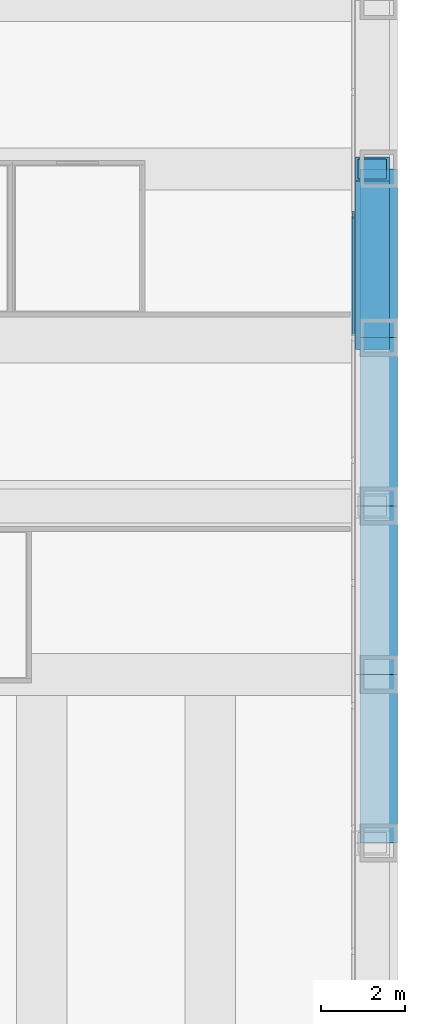
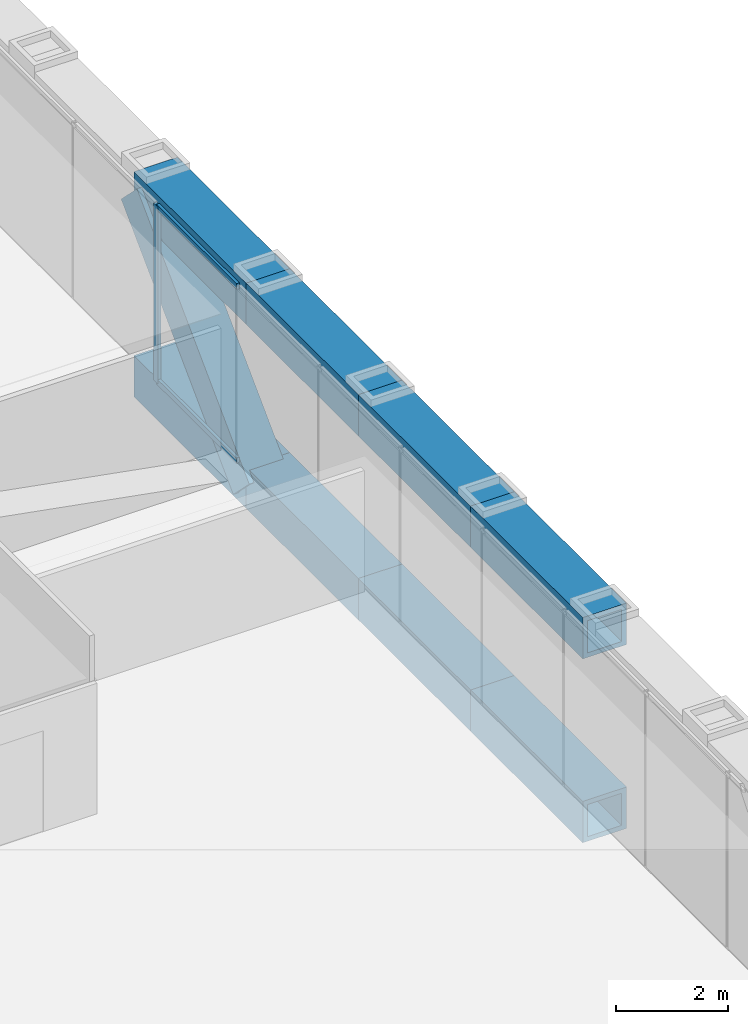
# One storey, part 6 of 18: 8 beams, 4 members, 1 element without a shape of its own.
"""IFC4 building model written with IfcOpenShell, lengths in metres."""

import ifcopenshell
import ifcopenshell.guid

model = None  # the IFC model being written
_history = None  # IfcOwnerHistory: only IFC2X3 demands one
_inside = {}  # id of a spatial element -> (the spatial element, [elements in it])
_under = {}  # id of a project, library or spatial element -> (it, [spatial elements below it])
_declared = {}  # id of a project -> (the project, [libraries it declares])
_typed = {}  # id of a type object -> (the type object, [elements of that type])
_made_of = {}  # id of a material, layer set ... -> (it, [elements and type objects made of it])


def new_model(schema):
    """Start an empty IFC model of exactly this schema.

    Asked for "IFC4X3", IfcOpenShell would pick the latest addendum, in which some entities
    have other attributes; the version numbers below select the first issue.
    IFC2X3 requires an IfcOwnerHistory on every rooted entity: one is made here for all.
    """
    global model, _history
    if schema == "IFC4X3":
        model = ifcopenshell.file(schema_version=(4, 3, 0, 0))
    else:
        model = ifcopenshell.file(schema=schema)
    _inside.clear()
    _under.clear()
    _declared.clear()
    _typed.clear()
    _made_of.clear()
    _history = None
    if model.schema == "IFC2X3":
        org = make("IfcOrganization", Name="unknown")
        user = make(
            "IfcPersonAndOrganization",
            ThePerson=make("IfcPerson", FamilyName="unknown"),
            TheOrganization=org,
        )
        app = make(
            "IfcApplication",
            ApplicationDeveloper=org,
            Version="unknown",
            ApplicationFullName="unknown",
            ApplicationIdentifier="unknown",
        )
        _history = make(
            "IfcOwnerHistory",
            OwningUser=user,
            OwningApplication=app,
            ChangeAction="ADDED",
            CreationDate=0,
        )
    return model


def make(cls, **values):
    """One entity of the class cls with the attributes given. An attribute that is None is left unset."""
    return model.create_entity(
        cls, **{name: value for name, value in values.items() if value is not None}
    )


def rooted(cls, **values):
    """An entity with a GlobalId (a new one), such as an element, a storey or a relation."""
    return make(cls, GlobalId=ifcopenshell.guid.new(), OwnerHistory=_history, **values)


def si_unit(unit_type, name, prefix=None):
    """IfcSIUnit, for example si_unit("LENGTHUNIT", "METRE", prefix="MILLI")."""
    return make("IfcSIUnit", UnitType=unit_type, Prefix=prefix, Name=name)


def assignment(units):
    """IfcUnitAssignment: the units of a project."""
    return None if units is None else make("IfcUnitAssignment", Units=units)


def point(xyz):
    """IfcCartesianPoint."""
    return None if xyz is None else make("IfcCartesianPoint", Coordinates=xyz)


def direction(xyz):
    """IfcDirection."""
    return None if xyz is None else make("IfcDirection", DirectionRatios=xyz)


def frame(location, z_axis=None, x_axis=None):
    """IfcAxis2Placement3D, a coordinate frame: its origin and axes. An axis left out is left unset."""
    return make(
        "IfcAxis2Placement3D",
        Location=point(location),
        Axis=direction(z_axis),
        RefDirection=direction(x_axis),
    )


def frame_2d(location, x_axis=None):
    """IfcAxis2Placement2D, a coordinate frame in the plane: its origin and x axis."""
    return make(
        "IfcAxis2Placement2D", Location=point(location), RefDirection=direction(x_axis)
    )


def origin():
    """The frame at (0, 0, 0) with its axes left unset."""
    return frame((0.0, 0.0, 0.0))


def origin_2d():
    """The frame at (0, 0) in the plane with its x axis left unset."""
    return frame_2d((0.0, 0.0))


def place(relative_to, where):
    """IfcLocalPlacement: puts the frame where relative to a parent placement (None: the world)."""
    return make(
        "IfcLocalPlacement", PlacementRelTo=relative_to, RelativePlacement=where
    )


def context(
    kind, dimensions, precision=None, world=None, true_north=None, identifier=None
):
    """IfcGeometricRepresentationContext, for example the 3D "Model" context."""
    return make(
        "IfcGeometricRepresentationContext",
        ContextIdentifier=identifier,
        ContextType=kind,
        CoordinateSpaceDimension=dimensions,
        Precision=precision,
        WorldCoordinateSystem=world,
        TrueNorth=true_north,
    )


def subcontext(parent, identifier, kind, view, scale=None):
    """IfcGeometricRepresentationSubContext, for example "Body" below "Model"."""
    return make(
        "IfcGeometricRepresentationSubContext",
        ContextIdentifier=identifier,
        ContextType=kind,
        ParentContext=parent,
        TargetScale=scale,
        TargetView=view,
    )


def project(units=None, contexts=None):
    """IfcProject with its units and contexts."""
    return rooted(
        "IfcProject",
        Name="project",
        RepresentationContexts=contexts,
        UnitsInContext=assignment(units),
    )


def spatial(cls, under=None, at=None, **own):
    """A site, building, storey or space (cls), placed at a placement, below another one or the project."""
    s = rooted(cls, ObjectPlacement=at, **own)
    if under is not None:
        _under.setdefault(under.id(), (under, []))[1].append(s)
    return s


def profile(cls, at=None, kind="AREA", **sizes):
    """A parametric profile (cls). Its sizes go by their IFC names, for example OverallWidth=200.0."""
    return make(cls, ProfileType=kind, Position=at, **sizes)


def rectangle(**sizes):
    """IfcRectangleProfileDef."""
    return profile("IfcRectangleProfileDef", **sizes)


def hollow_rectangle(**sizes):
    """IfcRectangleHollowProfileDef."""
    return profile("IfcRectangleHollowProfileDef", **sizes)


def extrude(swept, where, along, depth):
    """IfcExtrudedAreaSolid: the profile swept, set in the frame where, extruded along a direction by depth."""
    return make(
        "IfcExtrudedAreaSolid",
        SweptArea=swept,
        Position=where,
        ExtrudedDirection=direction(along),
        Depth=depth,
    )


def shape(context_of_items, identifier, shape_type, items):
    """IfcShapeRepresentation: the items that make up one representation, for example the "Body"."""
    return make(
        "IfcShapeRepresentation",
        ContextOfItems=context_of_items,
        RepresentationIdentifier=identifier,
        RepresentationType=shape_type,
        Items=items,
    )


def material(Name=None, Category=None):
    """IfcMaterial."""
    return make("IfcMaterial", Name=Name, Category=Category)


def material_profile(
    of_material, cross_section, Name=None, Category=None, Priority=None
):
    """IfcMaterialProfile: a cross section and its material."""
    return make(
        "IfcMaterialProfile",
        Name=Name,
        Material=of_material,
        Profile=cross_section,
        Priority=Priority,
        Category=Category,
    )


def profile_set(profiles, Name=None, composite=None):
    """IfcMaterialProfileSet."""
    return make(
        "IfcMaterialProfileSet",
        Name=Name,
        MaterialProfiles=profiles,
        CompositeProfile=composite,
    )


def made_of(thing, what):
    """Note that an element or type object is made of a material, layer set ...; save() writes the relation."""
    if what is not None:
        _made_of.setdefault(what.id(), (what, []))[1].append(thing)
    return thing


def type_object(cls, material=None, **own):
    """A type object (cls), such as IfcWallType, which elements share."""
    return made_of(rooted(cls, **own), material)


def element(
    cls,
    number,
    at=None,
    inside=None,
    cuts=None,
    type_object=None,
    material=None,
    context=None,
    identifier="Body",
    shape_type=None,
    held_by="IfcProductDefinitionShape",
    body=None,
    shapes=None,
    **own,
):
    """One element of the class cls, such as IfcWall. Its Tag is "e" and its number.

    at: its placement. inside: the storey or other place that contains it. cuts: it is an
    opening in that element (IfcRelVoidsElement). A single representation is given by context,
    identifier, shape_type and body (its items); several are given by shapes. held_by: the class
    of the entity that holds the representations. save() writes the other relations.
    """
    e = rooted(cls, Tag="e%d" % number, ObjectPlacement=at, **own)
    if body is not None:
        shapes = [shape(context, identifier, shape_type, body)]
    if shapes is not None:
        e.Representation = make(held_by, Representations=shapes)
    if inside is not None:
        _inside.setdefault(inside.id(), (inside, []))[1].append(e)
    if cuts is not None:
        rooted(
            "IfcRelVoidsElement", RelatingBuildingElement=cuts, RelatedOpeningElement=e
        )
    if type_object is not None:
        _typed.setdefault(type_object.id(), (type_object, []))[1].append(e)
    return made_of(e, material)


def aggregate(whole, parts):
    """IfcRelAggregates: a whole, such as a stair, and the parts it consists of."""
    return rooted("IfcRelAggregates", RelatingObject=whole, RelatedObjects=parts)


def save(model, path):
    """Write the relations noted so far, then the file.

    IfcRelAggregates (storeys below a building ...), IfcRelContainedInSpatialStructure (elements
    in a storey), IfcRelDefinesByType, IfcRelAssociatesMaterial and IfcRelDeclares: one each for
    every whole, place, type object, material and project.
    """
    for whole, parts in _under.values():
        aggregate(whole, parts)
    for where, things in _inside.values():
        rooted(
            "IfcRelContainedInSpatialStructure",
            RelatedElements=things,
            RelatingStructure=where,
        )
    for kind, things in _typed.values():
        rooted("IfcRelDefinesByType", RelatedObjects=things, RelatingType=kind)
    for what, things in _made_of.values():
        rooted("IfcRelAssociatesMaterial", RelatedObjects=things, RelatingMaterial=what)
    for by, libraries in _declared.values():
        rooted("IfcRelDeclares", RelatingContext=by, RelatedDefinitions=libraries)
    model.write(path)


model = new_model("IFC4")

# Units and contexts
model_context = context("Model", 3, precision=1e-05, world=origin(), true_north=direction((0.0, 1.0)))
body_context = subcontext(model_context, "Body", "Model", "MODEL_VIEW")
ifc_project = project(units=[si_unit("LENGTHUNIT", "METRE"), si_unit("AREAUNIT", "SQUARE_METRE"), si_unit("VOLUMEUNIT", "CUBIC_METRE"), si_unit("PLANEANGLEUNIT", "RADIAN"), si_unit("MASSUNIT", "GRAM", prefix="KILO")], contexts=[model_context])

# Site, building, storey
site_placement = place(None, origin())
site = spatial("IfcSite", under=ifc_project, at=site_placement, CompositionType="ELEMENT")
building_placement = place(site_placement, origin())
building = spatial("IfcBuilding", under=site, at=building_placement, Name="Rimbunsela Tower", CompositionType="ELEMENT")
storey_placement = place(building_placement, frame((0.0, 0.0, 105.39990234375)))
storey = spatial("IfcBuildingStorey", under=building, at=storey_placement, Name="L25", CompositionType="ELEMENT", Elevation=105.39990234375)

# Curtain wall, members
ifc_material_1 = material(Name="Aluminium curtain wall", Category="aluminium")
curtain_wall_type = type_object("IfcCurtainWallType", Name="Exoskeleton storey infill", PredefinedType="USERDEFINED", material=ifc_material_1)
curtain_wall_placement = place(storey_placement, origin())
curtain_wall = element("IfcCurtainWall", 1, at=curtain_wall_placement, inside=storey, type_object=curtain_wall_type, Name="Exoskeleton storey infill L25", ObjectType="EXOSKELETON STOREY INFILL", PredefinedType="USERDEFINED")
ifc_material_2 = material(Name="Aluminium mullion", Category="aluminium")
ifc_material_profile_1 = material_profile(ifc_material_2, rectangle(XDim=0.06005859375, YDim=0.159912109375, at=origin_2d()), Name="Mullion 60x160")
ifc_profile_set_1 = profile_set([ifc_material_profile_1], Name="Aluminium mullion")
member_type_1 = type_object("IfcMemberType", Name="Curtain wall mullion 60x160", PredefinedType="MULLION", material=ifc_profile_set_1)
member_1_placement = place(storey_placement, frame((57.39990234375, 30.914306640625, 0.0), z_axis=(0.0, 0.0, 1.0), x_axis=(-1.0, 0.0, 0.0)))
member_1 = element("IfcMember", 2, at=member_1_placement, type_object=member_type_1, Name="CW2 mullion 9", PredefinedType="MULLION", context=body_context, shape_type="SweptSolid", body=[
    extrude(rectangle(XDim=0.06005859375, YDim=0.159912109375, at=origin_2d()), origin(), (0.0, 0.0, 1.0), 3.85009765625),
])
ifc_material_3 = material(Name="Aluminium transom", Category="aluminium")
ifc_material_profile_2 = material_profile(ifc_material_3, rectangle(XDim=0.06005859375, YDim=0.1201171875, at=origin_2d()), Name="Transom 60x120")
ifc_profile_set_2 = profile_set([ifc_material_profile_2], Name="Aluminium transom")
member_type_2 = type_object("IfcMemberType", Name="Curtain wall transom 60x120", PredefinedType="USERDEFINED", material=ifc_profile_set_2)
member_2_placement = place(storey_placement, frame((57.39990234375, 28.030029296875, 0.030029296875), z_axis=(0.0, 1.0, 0.0), x_axis=(-1.0, 0.0, 0.0)))
member_2 = element("IfcMember", 3, at=member_2_placement, type_object=member_type_2, Name="CW2 transom 8.1", ObjectType="TRANSOM", PredefinedType="USERDEFINED", context=body_context, shape_type="SweptSolid", body=[
    extrude(rectangle(XDim=0.06005859375, YDim=0.1201171875, at=origin_2d()), origin(), (0.0, 0.0, 1.0), 2.854248046875),
])
member_3_placement = place(storey_placement, frame((57.39990234375, 28.030029296875, 3.820068359375), z_axis=(0.0, 1.0, 0.0), x_axis=(-1.0, 0.0, 0.0)))
member_3 = element("IfcMember", 4, at=member_3_placement, type_object=member_type_2, Name="CW2 transom 8.2", ObjectType="TRANSOM", PredefinedType="USERDEFINED", context=body_context, shape_type="SweptSolid", body=[
    extrude(rectangle(XDim=0.06005859375, YDim=0.1201171875, at=origin_2d()), origin(), (0.0, 0.0, 1.0), 2.854248046875),
])
aggregate(curtain_wall, [member_1, member_2, member_3])

# Beams
ifc_material_4 = material(Name="Steel BJ 55 (fy 410 MPa)", Category="steel")
ifc_material_profile_3 = material_profile(ifc_material_4, hollow_rectangle(XDim=0.89990234375, YDim=0.89990234375, WallThickness=0.10009765625, at=origin_2d()), Name="BOX 900x900x100")
ifc_profile_set_3 = profile_set([ifc_material_profile_3], Name="Steel BJ 55 (fy 410 MPa)")
beam_type = type_object("IfcBeamType", Name="Truss chord BOX 900x900x100", PredefinedType="USERDEFINED", material=ifc_profile_set_3)
for number, where, z_axis, x_axis, name in (
    (5, (58.0, 16.0, 3.400146484375), (0.0, 1.0, 0.0), (-1.0, 0.0, 0.0), "Truss top chord TC2 E face L25"),
    (6, (58.0, 20.0, 3.400146484375), (0.0, 1.0, 0.0), (-1.0, 0.0, 0.0), "Truss top chord TC2 E face L25"),
    (7, (58.0, 24.0, 3.400146484375), (0.0, 1.0, 0.0), (-1.0, 0.0, 0.0), "Truss top chord TC2 E face L25"),
    (8, (58.0, 28.0, 3.400146484375), (0.0, 1.0, 0.0), (-1.0, 0.0, 0.0), "Truss top chord TC2 E face L25"),
    (9, (58.0, 16.0, -0.599853515625), (0.0, 1.0, 0.0), (-1.0, 0.0, 0.0), "Truss bottom chord TC2 E face L25"),
    (10, (58.0, 20.0, -0.599853515625), (0.0, 1.0, 0.0), (-1.0, 0.0, 0.0), "Truss bottom chord TC2 E face L25"),
    (11, (58.0, 24.0, -0.599853515625), (0.0, 1.0, 0.0), (-1.0, 0.0, 0.0), "Truss bottom chord TC2 E face L25"),
    (12, (58.0, 28.0, -0.599853515625), (0.0, 1.0, 0.0), (-1.0, 0.0, 0.0), "Truss bottom chord TC2 E face L25"),
):
    element("IfcBeam", number, at=place(storey_placement, frame(where, z_axis=z_axis, x_axis=x_axis)), inside=storey, type_object=beam_type, Name=name, ObjectType="TRUSS CHORD", PredefinedType="USERDEFINED", context=body_context, shape_type="SweptSolid", body=[
        extrude(hollow_rectangle(XDim=0.89990234375, YDim=0.89990234375, WallThickness=0.10009765625, at=origin_2d()), origin(), (0.0, 0.0, 1.0), 4.0),
    ])

# Member
ifc_material_5 = material(Name="Steel BJ 55 (fy 410 MPa)", Category="steel")
ifc_material_profile_4 = material_profile(ifc_material_5, hollow_rectangle(XDim=0.800048828125, YDim=0.800048828125, WallThickness=0.06005859375, at=origin_2d()), Name="BOX 800x800x60")
ifc_profile_set_4 = profile_set([ifc_material_profile_4], Name="Steel BJ 55 (fy 410 MPa)")
member_type_3 = type_object("IfcMemberType", Name="Truss diagonal BOX 800x800x60", PredefinedType="BRACE", material=ifc_profile_set_4)
member_4_placement = place(storey_placement, frame((57.85009765625, 28.0, -0.599853515625), z_axis=(0.0, 0.707106781187, 0.707106781187), x_axis=(-1.0, 0.0, 0.0)))
element("IfcMember", 13, at=member_4_placement, inside=storey, type_object=member_type_3, Name="Truss diagonal TD2 E face L25", PredefinedType="BRACE", context=body_context, shape_type="SweptSolid", body=[
    extrude(hollow_rectangle(XDim=0.800048828125, YDim=0.800048828125, WallThickness=0.06005859375, at=origin_2d()), origin(), (0.0, 0.0, 1.0), 5.65673828125),
])

save(model, "model.ifc")
